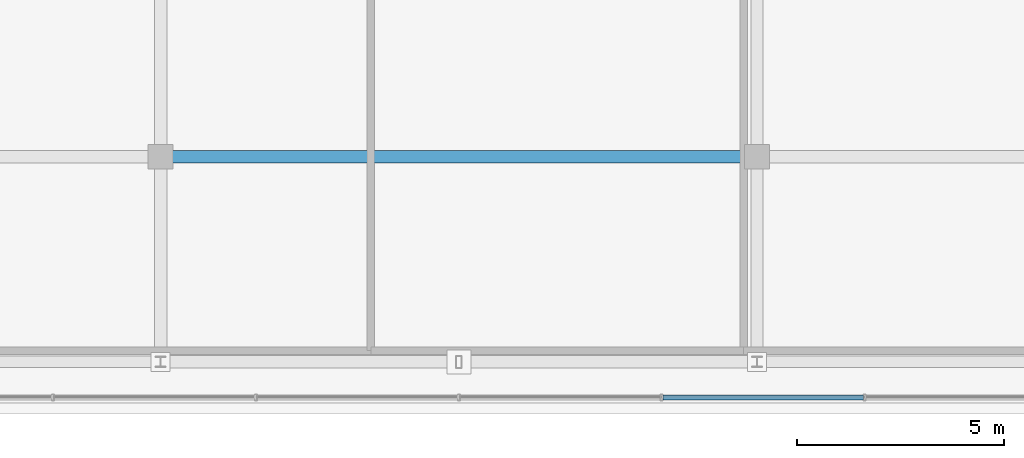
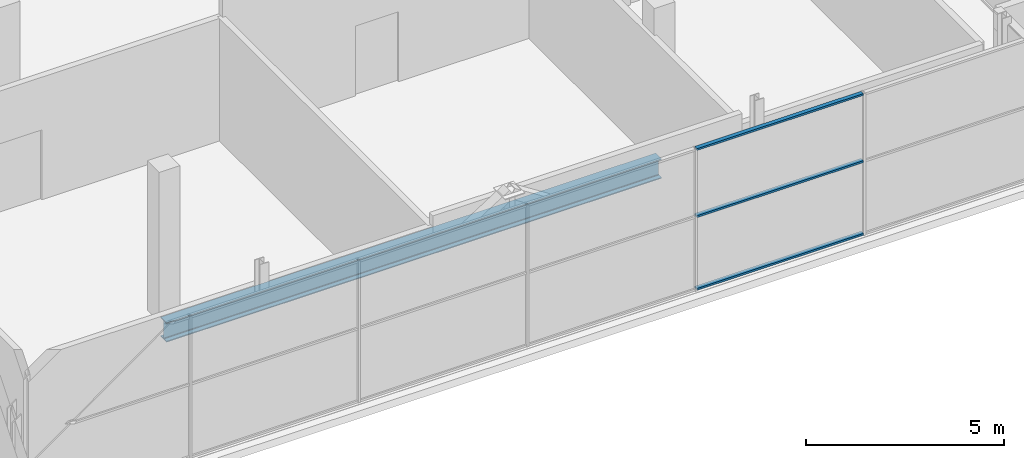
# One storey, part 10 of 27: 3 members, 1 beam, 1 element without a shape of its own.
"""IFC4 building model written with IfcOpenShell, lengths in metres."""

import ifcopenshell
import ifcopenshell.guid

model = None  # the IFC model being written
_history = None  # IfcOwnerHistory: only IFC2X3 demands one
_inside = {}  # id of a spatial element -> (the spatial element, [elements in it])
_under = {}  # id of a project, library or spatial element -> (it, [spatial elements below it])
_declared = {}  # id of a project -> (the project, [libraries it declares])
_typed = {}  # id of a type object -> (the type object, [elements of that type])
_made_of = {}  # id of a material, layer set ... -> (it, [elements and type objects made of it])


def new_model(schema):
    """Start an empty IFC model of exactly this schema.

    Asked for "IFC4X3", IfcOpenShell would pick the latest addendum, in which some entities
    have other attributes; the version numbers below select the first issue.
    IFC2X3 requires an IfcOwnerHistory on every rooted entity: one is made here for all.
    """
    global model, _history
    if schema == "IFC4X3":
        model = ifcopenshell.file(schema_version=(4, 3, 0, 0))
    else:
        model = ifcopenshell.file(schema=schema)
    _inside.clear()
    _under.clear()
    _declared.clear()
    _typed.clear()
    _made_of.clear()
    _history = None
    if model.schema == "IFC2X3":
        org = make("IfcOrganization", Name="unknown")
        user = make(
            "IfcPersonAndOrganization",
            ThePerson=make("IfcPerson", FamilyName="unknown"),
            TheOrganization=org,
        )
        app = make(
            "IfcApplication",
            ApplicationDeveloper=org,
            Version="unknown",
            ApplicationFullName="unknown",
            ApplicationIdentifier="unknown",
        )
        _history = make(
            "IfcOwnerHistory",
            OwningUser=user,
            OwningApplication=app,
            ChangeAction="ADDED",
            CreationDate=0,
        )
    return model


def make(cls, **values):
    """One entity of the class cls with the attributes given. An attribute that is None is left unset."""
    return model.create_entity(
        cls, **{name: value for name, value in values.items() if value is not None}
    )


def rooted(cls, **values):
    """An entity with a GlobalId (a new one), such as an element, a storey or a relation."""
    return make(cls, GlobalId=ifcopenshell.guid.new(), OwnerHistory=_history, **values)


def si_unit(unit_type, name, prefix=None):
    """IfcSIUnit, for example si_unit("LENGTHUNIT", "METRE", prefix="MILLI")."""
    return make("IfcSIUnit", UnitType=unit_type, Prefix=prefix, Name=name)


def assignment(units):
    """IfcUnitAssignment: the units of a project."""
    return None if units is None else make("IfcUnitAssignment", Units=units)


def point(xyz):
    """IfcCartesianPoint."""
    return None if xyz is None else make("IfcCartesianPoint", Coordinates=xyz)


def direction(xyz):
    """IfcDirection."""
    return None if xyz is None else make("IfcDirection", DirectionRatios=xyz)


def frame(location, z_axis=None, x_axis=None):
    """IfcAxis2Placement3D, a coordinate frame: its origin and axes. An axis left out is left unset."""
    return make(
        "IfcAxis2Placement3D",
        Location=point(location),
        Axis=direction(z_axis),
        RefDirection=direction(x_axis),
    )


def frame_2d(location, x_axis=None):
    """IfcAxis2Placement2D, a coordinate frame in the plane: its origin and x axis."""
    return make(
        "IfcAxis2Placement2D", Location=point(location), RefDirection=direction(x_axis)
    )


def origin():
    """The frame at (0, 0, 0) with its axes left unset."""
    return frame((0.0, 0.0, 0.0))


def origin_2d():
    """The frame at (0, 0) in the plane with its x axis left unset."""
    return frame_2d((0.0, 0.0))


def place(relative_to, where):
    """IfcLocalPlacement: puts the frame where relative to a parent placement (None: the world)."""
    return make(
        "IfcLocalPlacement", PlacementRelTo=relative_to, RelativePlacement=where
    )


def context(
    kind, dimensions, precision=None, world=None, true_north=None, identifier=None
):
    """IfcGeometricRepresentationContext, for example the 3D "Model" context."""
    return make(
        "IfcGeometricRepresentationContext",
        ContextIdentifier=identifier,
        ContextType=kind,
        CoordinateSpaceDimension=dimensions,
        Precision=precision,
        WorldCoordinateSystem=world,
        TrueNorth=true_north,
    )


def subcontext(parent, identifier, kind, view, scale=None):
    """IfcGeometricRepresentationSubContext, for example "Body" below "Model"."""
    return make(
        "IfcGeometricRepresentationSubContext",
        ContextIdentifier=identifier,
        ContextType=kind,
        ParentContext=parent,
        TargetScale=scale,
        TargetView=view,
    )


def project(units=None, contexts=None):
    """IfcProject with its units and contexts."""
    return rooted(
        "IfcProject",
        Name="project",
        RepresentationContexts=contexts,
        UnitsInContext=assignment(units),
    )


def spatial(cls, under=None, at=None, **own):
    """A site, building, storey or space (cls), placed at a placement, below another one or the project."""
    s = rooted(cls, ObjectPlacement=at, **own)
    if under is not None:
        _under.setdefault(under.id(), (under, []))[1].append(s)
    return s


def profile(cls, at=None, kind="AREA", **sizes):
    """A parametric profile (cls). Its sizes go by their IFC names, for example OverallWidth=200.0."""
    return make(cls, ProfileType=kind, Position=at, **sizes)


def hollow_rectangle(**sizes):
    """IfcRectangleHollowProfileDef."""
    return profile("IfcRectangleHollowProfileDef", **sizes)


def i_section(**sizes):
    """IfcIShapeProfileDef."""
    return profile("IfcIShapeProfileDef", **sizes)


def extrude(swept, where, along, depth):
    """IfcExtrudedAreaSolid: the profile swept, set in the frame where, extruded along a direction by depth."""
    return make(
        "IfcExtrudedAreaSolid",
        SweptArea=swept,
        Position=where,
        ExtrudedDirection=direction(along),
        Depth=depth,
    )


def shape(context_of_items, identifier, shape_type, items):
    """IfcShapeRepresentation: the items that make up one representation, for example the "Body"."""
    return make(
        "IfcShapeRepresentation",
        ContextOfItems=context_of_items,
        RepresentationIdentifier=identifier,
        RepresentationType=shape_type,
        Items=items,
    )


def source(mapping_origin, context_of_items, identifier, shape_type, items):
    """IfcRepresentationMap: a shape defined once, which mapped items show again and again."""
    return make(
        "IfcRepresentationMap",
        MappingOrigin=mapping_origin,
        MappedRepresentation=shape(context_of_items, identifier, shape_type, items),
    )


def transform(
    local_origin,
    x_axis=None,
    y_axis=None,
    z_axis=None,
    scale=None,
    scale2=None,
    scale3=None,
    uniform=True,
):
    """IfcCartesianTransformationOperator3D, or its non-uniform kind. x_axis, y_axis, z_axis: its Axis1, 2, 3."""
    if uniform:
        return make(
            "IfcCartesianTransformationOperator3D",
            Axis1=direction(x_axis),
            Axis2=direction(y_axis),
            LocalOrigin=point(local_origin),
            Scale=scale,
            Axis3=direction(z_axis),
        )
    return make(
        "IfcCartesianTransformationOperator3DnonUniform",
        Axis1=direction(x_axis),
        Axis2=direction(y_axis),
        LocalOrigin=point(local_origin),
        Scale=scale,
        Axis3=direction(z_axis),
        Scale2=scale2,
        Scale3=scale3,
    )


def mapped(mapping_source, mapping_target):
    """IfcMappedItem: shows the shape of a source again, moved by a transform."""
    return make(
        "IfcMappedItem", MappingSource=mapping_source, MappingTarget=mapping_target
    )


def material(Name=None, Category=None):
    """IfcMaterial."""
    return make("IfcMaterial", Name=Name, Category=Category)


def layer(
    of_material, thickness, ventilated=None, Name=None, Category=None, Priority=None
):
    """IfcMaterialLayer: one layer of a wall or slab, of a material (None: an air gap)."""
    return make(
        "IfcMaterialLayer",
        Material=of_material,
        LayerThickness=thickness,
        IsVentilated=ventilated,
        Name=Name,
        Category=Category,
        Priority=Priority,
    )


def layer_set(layers, Name=None):
    """IfcMaterialLayerSet."""
    return make("IfcMaterialLayerSet", MaterialLayers=layers, LayerSetName=Name)


def material_profile(
    of_material, cross_section, Name=None, Category=None, Priority=None
):
    """IfcMaterialProfile: a cross section and its material."""
    return make(
        "IfcMaterialProfile",
        Name=Name,
        Material=of_material,
        Profile=cross_section,
        Priority=Priority,
        Category=Category,
    )


def profile_set(profiles, Name=None, composite=None):
    """IfcMaterialProfileSet."""
    return make(
        "IfcMaterialProfileSet",
        Name=Name,
        MaterialProfiles=profiles,
        CompositeProfile=composite,
    )


def made_of(thing, what):
    """Note that an element or type object is made of a material, layer set ...; save() writes the relation."""
    if what is not None:
        _made_of.setdefault(what.id(), (what, []))[1].append(thing)
    return thing


def type_object(cls, material=None, **own):
    """A type object (cls), such as IfcWallType, which elements share."""
    return made_of(rooted(cls, **own), material)


def element(
    cls,
    number,
    at=None,
    inside=None,
    cuts=None,
    type_object=None,
    material=None,
    context=None,
    identifier="Body",
    shape_type=None,
    held_by="IfcProductDefinitionShape",
    body=None,
    shapes=None,
    **own,
):
    """One element of the class cls, such as IfcWall. Its Tag is "e" and its number.

    at: its placement. inside: the storey or other place that contains it. cuts: it is an
    opening in that element (IfcRelVoidsElement). A single representation is given by context,
    identifier, shape_type and body (its items); several are given by shapes. held_by: the class
    of the entity that holds the representations. save() writes the other relations.
    """
    e = rooted(cls, Tag="e%d" % number, ObjectPlacement=at, **own)
    if body is not None:
        shapes = [shape(context, identifier, shape_type, body)]
    if shapes is not None:
        e.Representation = make(held_by, Representations=shapes)
    if inside is not None:
        _inside.setdefault(inside.id(), (inside, []))[1].append(e)
    if cuts is not None:
        rooted(
            "IfcRelVoidsElement", RelatingBuildingElement=cuts, RelatedOpeningElement=e
        )
    if type_object is not None:
        _typed.setdefault(type_object.id(), (type_object, []))[1].append(e)
    return made_of(e, material)


def aggregate(whole, parts):
    """IfcRelAggregates: a whole, such as a stair, and the parts it consists of."""
    return rooted("IfcRelAggregates", RelatingObject=whole, RelatedObjects=parts)


def save(model, path):
    """Write the relations noted so far, then the file.

    IfcRelAggregates (storeys below a building ...), IfcRelContainedInSpatialStructure (elements
    in a storey), IfcRelDefinesByType, IfcRelAssociatesMaterial and IfcRelDeclares: one each for
    every whole, place, type object, material and project.
    """
    for whole, parts in _under.values():
        aggregate(whole, parts)
    for where, things in _inside.values():
        rooted(
            "IfcRelContainedInSpatialStructure",
            RelatedElements=things,
            RelatingStructure=where,
        )
    for kind, things in _typed.values():
        rooted("IfcRelDefinesByType", RelatedObjects=things, RelatingType=kind)
    for what, things in _made_of.values():
        rooted("IfcRelAssociatesMaterial", RelatedObjects=things, RelatingMaterial=what)
    for by, libraries in _declared.values():
        rooted("IfcRelDeclares", RelatingContext=by, RelatedDefinitions=libraries)
    model.write(path)


model = new_model("IFC4")

# Units and contexts
model_context = context("Model", 3, precision=1e-05, world=origin(), true_north=direction((0.0, 1.0)))
body_context = subcontext(model_context, "Body", "Model", "MODEL_VIEW")
ifc_project = project(units=[si_unit("LENGTHUNIT", "METRE"), si_unit("AREAUNIT", "SQUARE_METRE"), si_unit("VOLUMEUNIT", "CUBIC_METRE"), si_unit("PLANEANGLEUNIT", "RADIAN"), si_unit("MASSUNIT", "GRAM", prefix="KILO")], contexts=[model_context])

# Site, building, storey
site_placement = place(None, origin())
site = spatial("IfcSite", under=ifc_project, at=site_placement, CompositionType="ELEMENT")
building_placement = place(site_placement, origin())
building = spatial("IfcBuilding", under=site, at=building_placement, Name="Zarnakvel Exchange Tower", CompositionType="ELEMENT")
storey_placement = place(building_placement, frame((0.0, 0.0, 294.60009765625)))
storey = spatial("IfcBuildingStorey", under=building, at=storey_placement, Name="Crown L82", CompositionType="ELEMENT", Elevation=294.60009765625)

# Beam
ifc_material_1 = material(Name="Steel S355", Category="steel")
ifc_material_profile_1 = material_profile(ifc_material_1, i_section(OverallWidth=0.300048828125, OverallDepth=0.60009765625, WebThickness=0.015380859375, FlangeThickness=0.030029296875, FilletRadius=0.027099609375, at=origin_2d()))
ifc_profile_set_1 = profile_set([ifc_material_profile_1], Name="Steel S355")
beam_type = type_object("IfcBeamType", Name="G-04", PredefinedType="BEAM", material=ifc_profile_set_1)
beam_placement = place(storey_placement, frame((-7.199951171875, -9.60009765625, -0.52001953125), z_axis=(1.0, 0.0, 0.0), x_axis=(0.0, 1.0, 0.0)))
element("IfcBeam", 1, at=beam_placement, inside=storey, type_object=beam_type, Name="Crown L82 Tower E-W Frame Beam", PredefinedType="BEAM", context=body_context, shape_type="SweptSolid", body=[
    extrude(i_section(OverallWidth=0.300048828125, OverallDepth=0.60009765625, WebThickness=0.015380859375, FlangeThickness=0.030029296875, FilletRadius=0.027099609375, at=origin_2d()), origin(), (0.0, 0.0, 1.0), 14.39990234375),
])

# Curtain wall, members
ifc_material_2 = material(Name="Architectural Bronze Anodised Aluminium", Category="aluminium")
ifc_layer = layer(ifc_material_2, 0.14990234375)
ifc_layer_set = layer_set([ifc_layer], Name="Architectural Bronze Anodised Aluminium")
curtain_wall_type = type_object("IfcCurtainWallType", Name="CW-07", PredefinedType="NOTDEFINED", material=ifc_layer_set)
curtain_wall_placement = place(storey_placement, origin())
curtain_wall = element("IfcCurtainWall", 2, at=curtain_wall_placement, inside=storey, type_object=curtain_wall_type, Name="Crown L82 Curtain Wall CW-Crown L82-S (CW-07)", PredefinedType="NOTDEFINED")
ifc_material_profile_2 = material_profile(ifc_material_2, hollow_rectangle(XDim=0.1201171875, YDim=0.06005859375, WallThickness=0.00390625, at=origin_2d()))
ifc_profile_set_2 = profile_set([ifc_material_profile_2], Name="Architectural Bronze Anodised Aluminium")
member_type = type_object("IfcMemberType", Name="CWT-07", PredefinedType="USERDEFINED", material=ifc_profile_set_2)
shared_shape = source(origin(), body_context, "Body", "SweptSolid", [
    extrude(hollow_rectangle(XDim=0.1201171875, YDim=0.06005859375, WallThickness=0.00390625, at=origin_2d()), origin(), (0.0, 0.0, 1.0), 4.840087890625),
])
member_1_placement = place(storey_placement, frame((4.929931640625, -15.409912109375, 0.02978515625), z_axis=(1.0, 0.0, 0.0), x_axis=(0.0, 1.0, 0.0)))
member_1 = element("IfcMember", 3, at=member_1_placement, type_object=member_type, Name="CW-07 transom 5.1", ObjectType="TRANSOM", PredefinedType="USERDEFINED", context=body_context, shape_type="MappedRepresentation", body=[
    mapped(shared_shape, transform((0.0, 0.0, 0.0), x_axis=(1.0, 0.0, 0.0), y_axis=(0.0, 1.0, 0.0), z_axis=(0.0, 0.0, 1.0), scale=1.0)),
])
member_2_placement = place(storey_placement, frame((4.929931640625, -15.409912109375, 2.26708984375), z_axis=(1.0, 0.0, 0.0), x_axis=(0.0, 1.0, 0.0)))
member_2 = element("IfcMember", 4, at=member_2_placement, type_object=member_type, Name="CW-07 transom 5.2", ObjectType="TRANSOM", PredefinedType="USERDEFINED", context=body_context, shape_type="MappedRepresentation", body=[
    mapped(shared_shape, transform((0.0, 0.0, 0.0), x_axis=(1.0, 0.0, 0.0), y_axis=(0.0, 1.0, 0.0), z_axis=(0.0, 0.0, 1.0), scale=1.0)),
])
member_3_placement = place(storey_placement, frame((4.929931640625, -15.409912109375, 4.329833984375), z_axis=(1.0, 0.0, 0.0), x_axis=(0.0, 1.0, 0.0)))
member_3 = element("IfcMember", 5, at=member_3_placement, type_object=member_type, Name="CW-07 transom 5.3", ObjectType="TRANSOM", PredefinedType="USERDEFINED", context=body_context, shape_type="MappedRepresentation", body=[
    mapped(shared_shape, transform((0.0, 0.0, 0.0), x_axis=(1.0, 0.0, 0.0), y_axis=(0.0, 1.0, 0.0), z_axis=(0.0, 0.0, 1.0), scale=1.0)),
])
aggregate(curtain_wall, [member_1, member_2, member_3])

save(model, "model.ifc")
